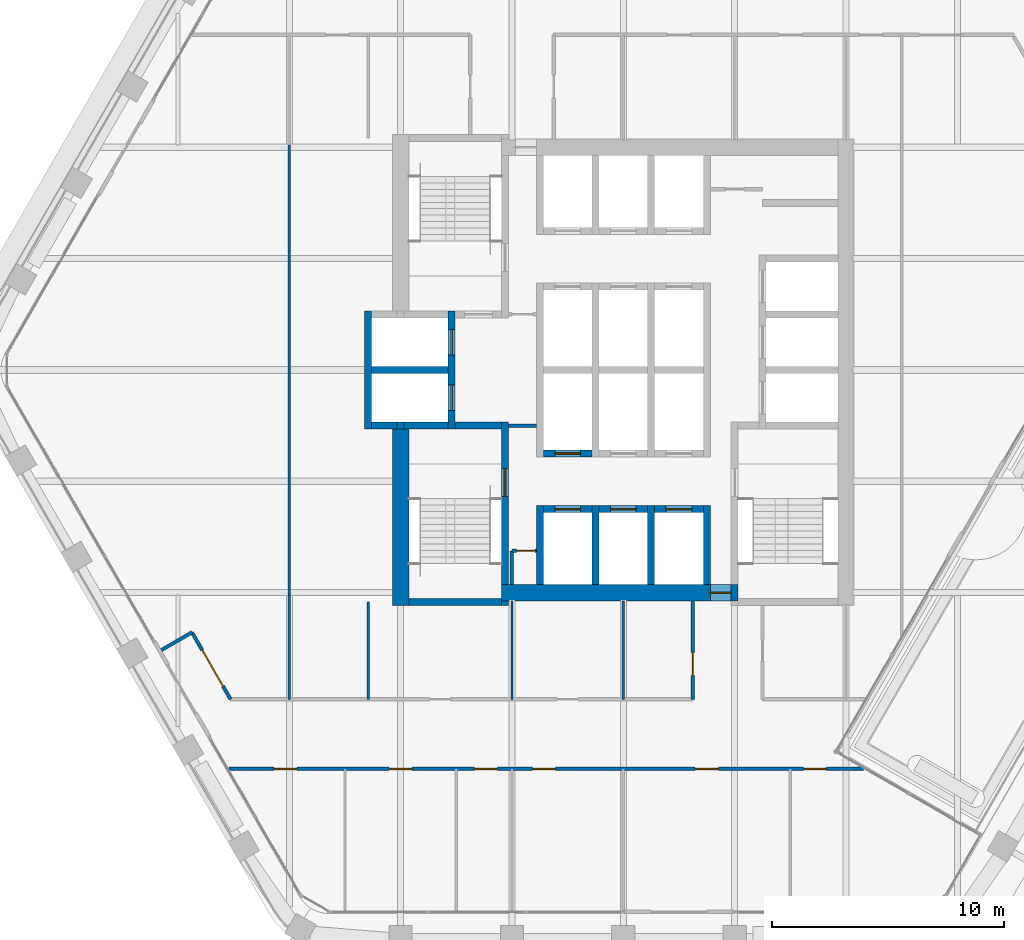
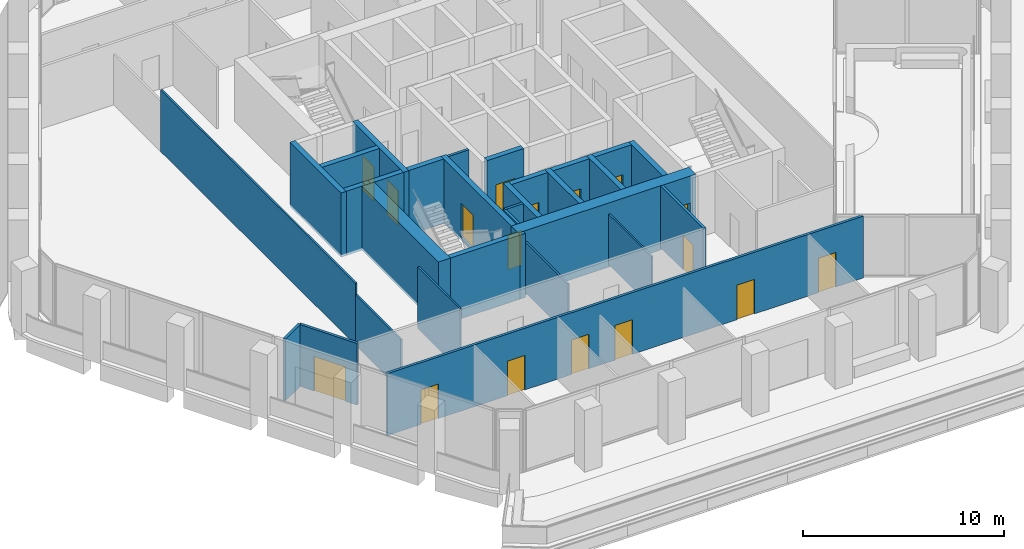
# One storey, part 11 of 17: 32 walls, 17 doors, 17 openings.
"""IFC4 building model written with IfcOpenShell, lengths in metres."""

from ifc_helpers import new_model, si_unit, direction, frame, frame_2d, origin, place, context, subcontext, project, spatial, rectangle, extrude, material, layer, layer_set, type_object, element, fill, save


model = new_model("IFC4")

# Units and contexts
model_context = context("Model", 3, precision=1e-05, world=origin(), true_north=direction((0.0, 1.0)))
body_context = subcontext(model_context, "Body", "Model", "MODEL_VIEW")
ifc_project = project(units=[si_unit("LENGTHUNIT", "METRE"), si_unit("AREAUNIT", "SQUARE_METRE"), si_unit("VOLUMEUNIT", "CUBIC_METRE"), si_unit("PLANEANGLEUNIT", "RADIAN"), si_unit("MASSUNIT", "GRAM", prefix="KILO")], contexts=[model_context])

# Site, building, storey
site_placement = place(None, origin())
site = spatial("IfcSite", under=ifc_project, at=site_placement, CompositionType="ELEMENT")
building_placement = place(site_placement, origin())
building = spatial("IfcBuilding", under=site, at=building_placement, Name="Kolab Exchange Tower", CompositionType="ELEMENT")
storey_placement = place(building_placement, frame((0.0, 0.0, 197.300048828125)))
storey = spatial("IfcBuildingStorey", under=building, at=storey_placement, Name="L42", CompositionType="ELEMENT", Elevation=197.300048828125)

# Wall, opening, door
ifc_material_1 = material(Name="Concrete C60/75", Category="concrete")
ifc_layer_1 = layer(ifc_material_1, 0.699951171875)
ifc_layer_set_1 = layer_set([ifc_layer_1], Name="Concrete C60/75")
wall_type_1 = type_object("IfcWallType", Name="CORE WALL 700 C60/75", PredefinedType="SHEAR", material=ifc_layer_set_1)
wall_1_placement = place(storey_placement, frame((-5.25, -9.60009765625, -0.150146484375), z_axis=(0.0, 0.0, 1.0), x_axis=(1.0, 0.0, 0.0)))
wall_1 = element("IfcWall", 1, at=wall_1_placement, inside=storey, type_object=wall_type_1, Name="wall/L42/core/002", PredefinedType="SHEAR", context=body_context, shape_type="SweptSolid", body=[
    extrude(rectangle(XDim=10.199951171875, YDim=0.699951171875, at=frame_2d((5.10009765625, 0.0))), origin(), (0.0, 0.0, 1.0), 3.900146484375),
])
opening_1_placement = place(wall_1_placement, frame((9.0, 0.0, 0.14990234375)))
opening_1 = element("IfcOpeningElement", 2, at=opening_1_placement, cuts=wall_1, Name="Opening D6-287", PredefinedType="OPENING", context=body_context, shape_type="SweptSolid", body=[
    extrude(rectangle(XDim=0.89990234375, YDim=2.10009765625, at=frame_2d((0.449951171875, 1.050048828125))), frame((0.0, 0.35986328125, 0.0), z_axis=(0.0, -1.0, 0.0), x_axis=(1.0, 0.0, 0.0)), (0.0, 0.0, 1.0), 0.719970703125),
])
ifc_material_2 = material(Name="Steel S235", Category="steel")
door_type_1 = type_object("IfcDoorType", Name="CORE DOOR 900 EI 120", OperationType="SINGLE_SWING_LEFT", PredefinedType="DOOR", material=ifc_material_2)
door_1_placement = place(opening_1_placement, origin())
door_1 = element("IfcDoor", 3, at=door_1_placement, inside=storey, type_object=door_type_1, Name="Core lobby door", OperationType="SINGLE_SWING_LEFT", OverallHeight=2.10009765625, OverallWidth=0.89990234375, PredefinedType="DOOR", context=body_context, shape_type="SweptSolid", body=[
    extrude(rectangle(XDim=0.89990234375, YDim=2.10009765625, at=frame_2d((0.449951171875, 1.050048828125))), frame((0.0, 0.02490234375, 0.0), z_axis=(0.0, -1.0, 0.0), x_axis=(1.0, 0.0, 0.0)), (0.0, 0.0, 1.0), 0.050048828125),
])
fill(opening_1, door_1)

# Wall
wall_2_placement = place(storey_placement, frame((-9.60009765625, -10.14990234375, -0.150146484375), z_axis=(0.0, 0.0, 1.0), x_axis=(0.0, 1.0, 0.0)))
element("IfcWall", 4, at=wall_2_placement, inside=storey, type_object=wall_type_1, Name="wall/L42/core/034", PredefinedType="SHEAR", context=body_context, shape_type="SweptSolid", body=[
    extrude(rectangle(XDim=7.599853515625, YDim=0.699951171875, at=frame_2d((3.7998046875, 0.0))), origin(), (0.0, 0.0, 1.0), 3.900146484375),
])

# Wall, opening, door
ifc_material_3 = material(Name="Concrete C50/60", Category="concrete")
ifc_layer_2 = layer(ifc_material_3, 0.300048828125)
ifc_layer_set_2 = layer_set([ifc_layer_2], Name="Concrete C50/60")
wall_type_2 = type_object("IfcWallType", Name="LIFT SHAFT WALL 300 C50/60", PredefinedType="STANDARD", material=ifc_layer_set_2)
wall_3_placement = place(storey_placement, frame((-3.449951171875, -6.0, -0.150146484375), z_axis=(0.0, 0.0, 1.0), x_axis=(1.0, 0.0, 0.0)))
wall_3 = element("IfcWall", 5, at=wall_3_placement, inside=storey, type_object=wall_type_2, Name="wall/L42/core/003", PredefinedType="STANDARD", context=body_context, shape_type="SweptSolid", body=[
    extrude(rectangle(XDim=2.099853515625, YDim=0.300048828125, at=frame_2d((1.0498046875, 0.0))), origin(), (0.0, 0.0, 1.0), 3.900146484375),
])
opening_2_placement = place(wall_3_placement, frame((0.5, 0.0, 0.14990234375)))
opening_2 = element("IfcOpeningElement", 6, at=opening_2_placement, cuts=wall_3, Name="Opening LD1-110", PredefinedType="OPENING", context=body_context, shape_type="SweptSolid", body=[
    extrude(rectangle(XDim=1.10009765625, YDim=2.10009765625, at=frame_2d((0.550048828125, 1.050048828125))), frame((0.0, 0.16015625, 0.0), z_axis=(0.0, -1.0, 0.0), x_axis=(1.0, 0.0, 0.0)), (0.0, 0.0, 1.0), 0.320068359375),
])
ifc_material_4 = material(Name="Stainless steel 316", Category="steel")
door_type_2 = type_object("IfcDoorType", Name="LANDING DOOR 1100 PASSENGER", OperationType="DOUBLE_DOOR_SLIDING", PredefinedType="DOOR", material=ifc_material_4)
door_2_placement = place(opening_2_placement, origin())
door_2 = element("IfcDoor", 7, at=door_2_placement, inside=storey, type_object=door_type_2, Name="Landing door HR10", OperationType="DOUBLE_DOOR_SLIDING", OverallHeight=2.10009765625, OverallWidth=1.10009765625, PredefinedType="DOOR", context=body_context, shape_type="SweptSolid", body=[
    extrude(rectangle(XDim=1.10009765625, YDim=2.10009765625, at=frame_2d((0.550048828125, 1.050048828125))), frame((0.0, 0.02490234375, 0.0), z_axis=(0.0, -1.0, 0.0), x_axis=(1.0, 0.0, 0.0)), (0.0, 0.0, 1.0), 0.050048828125),
])
fill(opening_2, door_2)

wall_4_placement = place(storey_placement, frame((-1.050048828125, -6.0, -0.150146484375), z_axis=(0.0, 0.0, 1.0), x_axis=(1.0, 0.0, 0.0)))
wall_4 = element("IfcWall", 8, at=wall_4_placement, inside=storey, type_object=wall_type_2, Name="wall/L42/core/004", PredefinedType="STANDARD", context=body_context, shape_type="SweptSolid", body=[
    extrude(rectangle(XDim=2.10009765625, YDim=0.300048828125, at=frame_2d((1.050048828125, 0.0))), origin(), (0.0, 0.0, 1.0), 3.900146484375),
])
opening_3_placement = place(wall_4_placement, frame((0.5, 0.0, 0.14990234375)))
opening_3 = element("IfcOpeningElement", 9, at=opening_3_placement, cuts=wall_4, Name="Opening LD1-111", PredefinedType="OPENING", context=body_context, shape_type="SweptSolid", body=[
    extrude(rectangle(XDim=1.10009765625, YDim=2.10009765625, at=frame_2d((0.550048828125, 1.050048828125))), frame((0.0, 0.16015625, 0.0), z_axis=(0.0, -1.0, 0.0), x_axis=(1.0, 0.0, 0.0)), (0.0, 0.0, 1.0), 0.320068359375),
])
door_3_placement = place(opening_3_placement, origin())
door_3 = element("IfcDoor", 10, at=door_3_placement, inside=storey, type_object=door_type_2, Name="Landing door HR11", OperationType="DOUBLE_DOOR_SLIDING", OverallHeight=2.10009765625, OverallWidth=1.10009765625, PredefinedType="DOOR", context=body_context, shape_type="SweptSolid", body=[
    extrude(rectangle(XDim=1.10009765625, YDim=2.10009765625, at=frame_2d((0.550048828125, 1.050048828125))), frame((0.0, 0.02490234375, 0.0), z_axis=(0.0, -1.0, 0.0), x_axis=(1.0, 0.0, 0.0)), (0.0, 0.0, 1.0), 0.050048828125),
])
fill(opening_3, door_3)

wall_5_placement = place(storey_placement, frame((1.35009765625, -6.0, -0.150146484375), z_axis=(0.0, 0.0, 1.0), x_axis=(1.0, 0.0, 0.0)))
wall_5 = element("IfcWall", 11, at=wall_5_placement, inside=storey, type_object=wall_type_2, Name="wall/L42/core/005", PredefinedType="STANDARD", context=body_context, shape_type="SweptSolid", body=[
    extrude(rectangle(XDim=2.099853515625, YDim=0.300048828125, at=frame_2d((1.0498046875, 0.0))), origin(), (0.0, 0.0, 1.0), 3.900146484375),
])
opening_4_placement = place(wall_5_placement, frame((0.5, 0.0, 0.14990234375)))
opening_4 = element("IfcOpeningElement", 12, at=opening_4_placement, cuts=wall_5, Name="Opening LD1-112", PredefinedType="OPENING", context=body_context, shape_type="SweptSolid", body=[
    extrude(rectangle(XDim=1.10009765625, YDim=2.10009765625, at=frame_2d((0.550048828125, 1.050048828125))), frame((0.0, 0.16015625, 0.0), z_axis=(0.0, -1.0, 0.0), x_axis=(1.0, 0.0, 0.0)), (0.0, 0.0, 1.0), 0.320068359375),
])
door_4_placement = place(opening_4_placement, origin())
door_4 = element("IfcDoor", 13, at=door_4_placement, inside=storey, type_object=door_type_2, Name="Landing door HR12", OperationType="DOUBLE_DOOR_SLIDING", OverallHeight=2.10009765625, OverallWidth=1.10009765625, PredefinedType="DOOR", context=body_context, shape_type="SweptSolid", body=[
    extrude(rectangle(XDim=1.10009765625, YDim=2.10009765625, at=frame_2d((0.550048828125, 1.050048828125))), frame((0.0, 0.02490234375, 0.0), z_axis=(0.0, -1.0, 0.0), x_axis=(1.0, 0.0, 0.0)), (0.0, 0.0, 1.0), 0.050048828125),
])
fill(opening_4, door_4)

wall_6_placement = place(storey_placement, frame((-3.449951171875, -3.60009765625, -0.150146484375), z_axis=(0.0, 0.0, 1.0), x_axis=(1.0, 0.0, 0.0)))
wall_6 = element("IfcWall", 14, at=wall_6_placement, inside=storey, type_object=wall_type_2, Name="wall/L42/core/006", PredefinedType="STANDARD", context=body_context, shape_type="SweptSolid", body=[
    extrude(rectangle(XDim=2.099853515625, YDim=0.300048828125, at=frame_2d((1.0498046875, 0.0))), origin(), (0.0, 0.0, 1.0), 3.900146484375),
])
opening_5_placement = place(wall_6_placement, frame((0.5, 0.0, 0.14990234375)))
opening_5 = element("IfcOpeningElement", 15, at=opening_5_placement, cuts=wall_6, Name="Opening LD1-118", PredefinedType="OPENING", context=body_context, shape_type="SweptSolid", body=[
    extrude(rectangle(XDim=1.10009765625, YDim=2.10009765625, at=frame_2d((0.550048828125, 1.050048828125))), frame((0.0, 0.16015625, 0.0), z_axis=(0.0, -1.0, 0.0), x_axis=(1.0, 0.0, 0.0)), (0.0, 0.0, 1.0), 0.320068359375),
])
door_5_placement = place(opening_5_placement, origin())
door_5 = element("IfcDoor", 16, at=door_5_placement, inside=storey, type_object=door_type_2, Name="Landing door HR7", OperationType="DOUBLE_DOOR_SLIDING", OverallHeight=2.10009765625, OverallWidth=1.10009765625, PredefinedType="DOOR", context=body_context, shape_type="SweptSolid", body=[
    extrude(rectangle(XDim=1.10009765625, YDim=2.10009765625, at=frame_2d((0.550048828125, 1.050048828125))), frame((0.0, 0.02490234375, 0.0), z_axis=(0.0, -1.0, 0.0), x_axis=(1.0, 0.0, 0.0)), (0.0, 0.0, 1.0), 0.050048828125),
])
fill(opening_5, door_5)

# Walls
wall_7_placement = place(storey_placement, frame((-10.85009765625, -2.39990234375, -0.150146484375), z_axis=(0.0, 0.0, 1.0), x_axis=(1.0, 0.0, 0.0)))
element("IfcWall", 17, at=wall_7_placement, inside=storey, type_object=wall_type_2, Name="wall/L42/core/009", PredefinedType="STANDARD", context=body_context, shape_type="SweptSolid", body=[
    extrude(rectangle(XDim=1.10009765625, YDim=0.300048828125, at=frame_2d((0.550048828125, 0.0))), origin(), (0.0, 0.0, 1.0), 3.900146484375),
])
wall_8_placement = place(storey_placement, frame((-10.85009765625, 0.0, -0.150146484375), z_axis=(0.0, 0.0, 1.0), x_axis=(1.0, 0.0, 0.0)))
element("IfcWall", 18, at=wall_8_placement, inside=storey, type_object=wall_type_2, Name="wall/L42/core/014", PredefinedType="STANDARD", context=body_context, shape_type="SweptSolid", body=[
    extrude(rectangle(XDim=3.300048828125, YDim=0.300048828125, at=frame_2d((1.64990234375, 0.0))), origin(), (0.0, 0.0, 1.0), 3.900146484375),
])
wall_9_placement = place(storey_placement, frame((-11.0, -2.550048828125, -0.150146484375), z_axis=(0.0, 0.0, 1.0), x_axis=(0.0, 1.0, 0.0)))
element("IfcWall", 19, at=wall_9_placement, inside=storey, type_object=wall_type_2, Name="wall/L42/core/033", PredefinedType="STANDARD", context=body_context, shape_type="SweptSolid", body=[
    extrude(rectangle(XDim=5.10009765625, YDim=0.300048828125, at=frame_2d((2.550048828125, 0.0))), origin(), (0.0, 0.0, 1.0), 3.900146484375),
])

# Wall, openings, doors
wall_10_placement = place(storey_placement, frame((-7.39990234375, -2.550048828125, -0.150146484375), z_axis=(0.0, 0.0, 1.0), x_axis=(0.0, 1.0, 0.0)))
wall_10 = element("IfcWall", 20, at=wall_10_placement, inside=storey, type_object=wall_type_2, Name="wall/L42/core/038", PredefinedType="STANDARD", context=body_context, shape_type="SweptSolid", body=[
    extrude(rectangle(XDim=5.10009765625, YDim=0.300048828125, at=frame_2d((2.550048828125, 0.0))), origin(), (0.0, 0.0, 1.0), 3.900146484375),
])
opening_6_placement = place(wall_10_placement, frame((0.800048828125, 0.0, 0.14990234375)))
opening_6 = element("IfcOpeningElement", 21, at=opening_6_placement, cuts=wall_10, Name="Opening LD2-025", PredefinedType="OPENING", context=body_context, shape_type="SweptSolid", body=[
    extrude(rectangle(XDim=1.10009765625, YDim=2.10009765625, at=frame_2d((0.550048828125, 1.050048828125))), frame((0.0, 0.16015625, 0.0), z_axis=(0.0, -1.0, 0.0), x_axis=(1.0, 0.0, 0.0)), (0.0, 0.0, 1.0), 0.320068359375),
])
opening_7_placement = place(wall_10_placement, frame((3.199951171875, 0.0, 0.14990234375)))
opening_7 = element("IfcOpeningElement", 22, at=opening_7_placement, cuts=wall_10, Name="Opening LD2-026", PredefinedType="OPENING", context=body_context, shape_type="SweptSolid", body=[
    extrude(rectangle(XDim=1.10009765625, YDim=2.10009765625, at=frame_2d((0.550048828125, 1.050048828125))), frame((0.0, 0.16015625, 0.0), z_axis=(0.0, -1.0, 0.0), x_axis=(1.0, 0.0, 0.0)), (0.0, 0.0, 1.0), 0.320068359375),
])
door_type_3 = type_object("IfcDoorType", Name="LANDING DOOR 1100 FIREFIGHTING", OperationType="DOUBLE_DOOR_SLIDING", PredefinedType="DOOR", material=ifc_material_4)
door_6_placement = place(opening_6_placement, origin())
door_6 = element("IfcDoor", 23, at=door_6_placement, inside=storey, type_object=door_type_3, Name="Landing door FF1", OperationType="DOUBLE_DOOR_SLIDING", OverallHeight=2.10009765625, OverallWidth=1.10009765625, PredefinedType="DOOR", context=body_context, shape_type="SweptSolid", body=[
    extrude(rectangle(XDim=1.10009765625, YDim=2.10009765625, at=frame_2d((0.550048828125, 1.050048828125))), frame((0.0, 0.02490234375, 0.0), z_axis=(0.0, -1.0, 0.0), x_axis=(1.0, 0.0, 0.0)), (0.0, 0.0, 1.0), 0.050048828125),
])
fill(opening_6, door_6)
door_7_placement = place(opening_7_placement, origin())
door_7 = element("IfcDoor", 24, at=door_7_placement, inside=storey, type_object=door_type_3, Name="Landing door FF2", OperationType="DOUBLE_DOOR_SLIDING", OverallHeight=2.10009765625, OverallWidth=1.10009765625, PredefinedType="DOOR", context=body_context, shape_type="SweptSolid", body=[
    extrude(rectangle(XDim=1.10009765625, YDim=2.10009765625, at=frame_2d((0.550048828125, 1.050048828125))), frame((0.0, 0.02490234375, 0.0), z_axis=(0.0, -1.0, 0.0), x_axis=(1.0, 0.0, 0.0)), (0.0, 0.0, 1.0), 0.050048828125),
])
fill(opening_7, door_7)

# Walls
for number, where, z_axis, x_axis, name in (
    (25, (-3.60009765625, -9.25, -0.150146484375), (0.0, 0.0, 1.0), (0.0, 1.0, 0.0), "wall/L42/core/043"),
    (26, (-1.199951171875, -9.25, -0.150146484375), (0.0, 0.0, 1.0), (0.0, 1.0, 0.0), "wall/L42/core/046"),
    (27, (1.199951171875, -9.25, -0.150146484375), (0.0, 0.0, 1.0), (0.0, 1.0, 0.0), "wall/L42/core/049"),
    (28, (3.60009765625, -9.25, -0.150146484375), (0.0, 0.0, 1.0), (0.0, 1.0, 0.0), "wall/L42/core/052"),
):
    element("IfcWall", number, at=place(storey_placement, frame(where, z_axis=z_axis, x_axis=x_axis)), inside=storey, type_object=wall_type_2, Name=name, PredefinedType="STANDARD", context=body_context, shape_type="SweptSolid", body=[
        extrude(rectangle(XDim=3.39990234375, YDim=0.300048828125, at=frame_2d((1.699951171875, 0.0))), origin(), (0.0, 0.0, 1.0), 3.900146484375),
    ])
ifc_material_5 = material(Name="Gypsum board", Category="gypsum")
ifc_layer_3 = layer(ifc_material_5, 0.10009765625)
ifc_layer_set_3 = layer_set([ifc_layer_3], Name="Gypsum board")
wall_type_3 = type_object("IfcWallType", Name="PARTITION 100", PredefinedType="PARTITIONING", material=ifc_layer_set_3)
for number, where, z_axis, x_axis, name in (
    (29, (0.0, -14.199951171875, 0.0), (0.0, 0.0, 1.0), (0.0, 1.0, 0.0), "Partition 011"),
    (30, (-4.800048828125, -14.199951171875, 0.0), (0.0, 0.0, 1.0), (0.0, 1.0, 0.0), "Partition 015"),
):
    element("IfcWall", number, at=place(storey_placement, frame(where, z_axis=z_axis, x_axis=x_axis)), inside=storey, type_object=wall_type_3, Name=name, PredefinedType="PARTITIONING", context=body_context, shape_type="SweptSolid", body=[
        extrude(rectangle(XDim=4.25, YDim=0.10009765625, at=frame_2d((2.125, 0.0))), origin(), (0.0, 0.0, 1.0), 3.06591796875),
    ])
wall_11_placement = place(storey_placement, frame((-11.0, -14.199951171875, 0.0), z_axis=(0.0, 0.0, 1.0), x_axis=(0.0, 1.0, 0.0)))
element("IfcWall", 31, at=wall_11_placement, inside=storey, type_object=wall_type_3, Name="Partition 022", PredefinedType="PARTITIONING", context=body_context, shape_type="SweptSolid", body=[
    extrude(rectangle(XDim=4.199951171875, YDim=0.10009765625, at=frame_2d((2.10009765625, 0.0))), origin(), (0.0, 0.0, 1.0), 3.75),
])
wall_12_placement = place(storey_placement, frame((-14.39990234375, -9.693603515625, 0.0), z_axis=(0.0, 0.0, 1.0), x_axis=(0.0, 1.0, 0.0)))
element("IfcWall", 32, at=wall_12_placement, inside=storey, type_object=wall_type_3, Name="Partition 025", PredefinedType="PARTITIONING", context=body_context, shape_type="SweptSolid", body=[
    extrude(rectangle(XDim=19.38720703125, YDim=0.10009765625, at=frame_2d((9.693603515625, 0.0))), origin(), (0.0, 0.0, 1.0), 3.75),
])
wall_13_placement = place(storey_placement, frame((-14.39990234375, -14.199951171875, 0.0), z_axis=(0.0, 0.0, 1.0), x_axis=(0.0, 1.0, 0.0)))
element("IfcWall", 33, at=wall_13_placement, inside=storey, type_object=wall_type_3, Name="Partition 025", PredefinedType="PARTITIONING", context=body_context, shape_type="SweptSolid", body=[
    extrude(rectangle(XDim=4.50634765625, YDim=0.10009765625, at=frame_2d((2.253173828125, 0.0))), origin(), (0.0, 0.0, 1.0), 3.06591796875),
])

# Wall, opening, door
ifc_layer_4 = layer(ifc_material_5, 0.14990234375)
ifc_layer_set_4 = layer_set([ifc_layer_4], Name="Gypsum board")
wall_type_4 = type_object("IfcWallType", Name="PARTITION 150 FIRE-RATED", PredefinedType="PARTITIONING", material=ifc_layer_set_4)
wall_14_placement = place(storey_placement, frame((3.0, -14.199951171875, 0.0), z_axis=(0.0, 0.0, 1.0), x_axis=(0.0, 1.0, 0.0)))
wall_14 = element("IfcWall", 34, at=wall_14_placement, inside=storey, type_object=wall_type_4, Name="Partition 009", PredefinedType="PARTITIONING", context=body_context, shape_type="SweptSolid", body=[
    extrude(rectangle(XDim=4.25, YDim=0.14990234375, at=frame_2d((2.125, 0.0))), origin(), (0.0, 0.0, 1.0), 3.75),
])
opening_8_placement = place(wall_14_placement, frame((1.02490234375, 0.0, 0.0)))
opening_8 = element("IfcOpeningElement", 35, at=opening_8_placement, cuts=wall_14, Name="Opening D1-553", PredefinedType="OPENING", context=body_context, shape_type="SweptSolid", body=[
    extrude(rectangle(XDim=1.0, YDim=2.10009765625, at=frame_2d((0.5, 1.050048828125))), frame((0.0, 0.0849609375, 0.0), z_axis=(0.0, -1.0, 0.0), x_axis=(1.0, 0.0, 0.0)), (0.0, 0.0, 1.0), 0.169921875),
])
door_type_4 = type_object("IfcDoorType", Name="FLUSH DOOR 1000 FD60", OperationType="SINGLE_SWING_LEFT", PredefinedType="DOOR", material=ifc_material_2)
door_8_placement = place(opening_8_placement, origin())
door_8 = element("IfcDoor", 36, at=door_8_placement, inside=storey, type_object=door_type_4, Name="Door L42-038", OperationType="SINGLE_SWING_LEFT", OverallHeight=2.10009765625, OverallWidth=1.0, PredefinedType="DOOR", context=body_context, shape_type="SweptSolid", body=[
    extrude(rectangle(XDim=1.0, YDim=2.10009765625, at=frame_2d((0.5, 1.050048828125))), frame((0.0, 0.02490234375, 0.0), z_axis=(0.0, -1.0, 0.0), x_axis=(1.0, 0.0, 0.0)), (0.0, 0.0, 1.0), 0.050048828125),
])
fill(opening_8, door_8)

# Wall
wall_15_placement = place(storey_placement, frame((-4.800048828125, -9.25, 0.0), z_axis=(0.0, 0.0, 1.0), x_axis=(0.0, 1.0, 0.0)))
element("IfcWall", 37, at=wall_15_placement, inside=storey, type_object=wall_type_4, Name="Partition 017", PredefinedType="PARTITIONING", context=body_context, shape_type="SweptSolid", body=[
    extrude(rectangle(XDim=1.449951171875, YDim=0.14990234375, at=frame_2d((0.72509765625, 0.0))), origin(), (0.0, 0.0, 1.0), 3.75),
])

# Wall, opening, door
wall_16_placement = place(storey_placement, frame((-18.595947265625, -11.313720703125, 0.0), z_axis=(0.0, 0.0, 1.0), x_axis=(0.499976106316, -0.86603919837, 0.0)))
wall_16 = element("IfcWall", 38, at=wall_16_placement, inside=storey, type_object=wall_type_4, Name="Partition 026", PredefinedType="PARTITIONING", context=body_context, shape_type="SweptSolid", body=[
    extrude(rectangle(XDim=3.332763671875, YDim=0.14990234375, at=frame_2d((1.66650390625, 0.0))), origin(), (0.0, 0.0, 1.0), 3.75),
])
opening_9_placement = place(wall_16_placement, frame((0.885009765625, 0.0, 0.0)))
opening_9 = element("IfcOpeningElement", 39, at=opening_9_placement, cuts=wall_16, Name="Opening D2-058", PredefinedType="OPENING", context=body_context, shape_type="SweptSolid", body=[
    extrude(rectangle(XDim=1.800048828125, YDim=2.10009765625, at=frame_2d((0.89990234375, 1.050048828125))), frame((0.0, 0.0849609375, 0.0), z_axis=(0.0, -1.0, 0.0), x_axis=(1.0, 0.0, 0.0)), (0.0, 0.0, 1.0), 0.169921875),
])
door_type_5 = type_object("IfcDoorType", Name="DOUBLE DOOR 1800 FD60", OperationType="DOUBLE_DOOR_SINGLE_SWING", PredefinedType="DOOR", material=ifc_material_2)
door_9_placement = place(opening_9_placement, origin())
door_9 = element("IfcDoor", 40, at=door_9_placement, inside=storey, type_object=door_type_5, Name="Door L42-054", OperationType="SINGLE_SWING_RIGHT", OverallHeight=2.10009765625, OverallWidth=1.800048828125, PredefinedType="DOOR", context=body_context, shape_type="SweptSolid", body=[
    extrude(rectangle(XDim=1.800048828125, YDim=2.10009765625, at=frame_2d((0.89990234375, 1.050048828125))), frame((0.0, 0.02490234375, 0.0), z_axis=(0.0, -1.0, 0.0), x_axis=(1.0, 0.0, 0.0)), (0.0, 0.0, 1.0), 0.050048828125),
])
fill(opening_9, door_9)

# Wall
wall_17_placement = place(storey_placement, frame((-19.912353515625, -12.07373046875, 0.0), z_axis=(0.0, 0.0, 1.0), x_axis=(0.866030456496, 0.499991248344, 0.0)))
element("IfcWall", 41, at=wall_17_placement, inside=storey, type_object=wall_type_4, Name="Partition 028", PredefinedType="PARTITIONING", context=body_context, shape_type="SweptSolid", body=[
    extrude(rectangle(XDim=1.52001953125, YDim=0.14990234375, at=frame_2d((0.760009765625, 0.0))), origin(), (0.0, 0.0, 1.0), 3.75),
])

# Wall, openings, doors
wall_18_placement = place(storey_placement, frame((-16.9990234375, -17.199951171875, 0.0), z_axis=(0.0, 0.0, 1.0), x_axis=(1.0, 0.0, 0.0)))
wall_18 = element("IfcWall", 42, at=wall_18_placement, inside=storey, type_object=wall_type_4, Name="Partition 030", PredefinedType="PARTITIONING", context=body_context, shape_type="SweptSolid", body=[
    extrude(rectangle(XDim=27.350341796875, YDim=0.14990234375, at=frame_2d((13.67529296875, 0.0))), origin(), (0.0, 0.0, 1.0), 3.75),
])
opening_10_placement = place(wall_18_placement, frame((1.93017578125, 0.0, 0.0)))
opening_10 = element("IfcOpeningElement", 43, at=opening_10_placement, cuts=wall_18, Name="Opening D1-561", PredefinedType="OPENING", context=body_context, shape_type="SweptSolid", body=[
    extrude(rectangle(XDim=1.0, YDim=2.10009765625, at=frame_2d((0.5, 1.050048828125))), frame((0.0, 0.0849609375, 0.0), z_axis=(0.0, -1.0, 0.0), x_axis=(1.0, 0.0, 0.0)), (0.0, 0.0, 1.0), 0.169921875),
])
opening_11_placement = place(wall_18_placement, frame((6.89892578125, 0.0, 0.0)))
opening_11 = element("IfcOpeningElement", 44, at=opening_11_placement, cuts=wall_18, Name="Opening D1-562", PredefinedType="OPENING", context=body_context, shape_type="SweptSolid", body=[
    extrude(rectangle(XDim=1.0, YDim=2.10009765625, at=frame_2d((0.5, 1.050048828125))), frame((0.0, 0.0849609375, 0.0), z_axis=(0.0, -1.0, 0.0), x_axis=(1.0, 0.0, 0.0)), (0.0, 0.0, 1.0), 0.169921875),
])
opening_12_placement = place(wall_18_placement, frame((10.573974609375, 0.0, 0.0)))
opening_12 = element("IfcOpeningElement", 45, at=opening_12_placement, cuts=wall_18, Name="Opening D1-563", PredefinedType="OPENING", context=body_context, shape_type="SweptSolid", body=[
    extrude(rectangle(XDim=1.0, YDim=2.10009765625, at=frame_2d((0.5, 1.050048828125))), frame((0.0, 0.0849609375, 0.0), z_axis=(0.0, -1.0, 0.0), x_axis=(1.0, 0.0, 0.0)), (0.0, 0.0, 1.0), 0.169921875),
])
opening_13_placement = place(wall_18_placement, frame((13.083984375, 0.0, 0.0)))
opening_13 = element("IfcOpeningElement", 46, at=opening_13_placement, cuts=wall_18, Name="Opening D1-564", PredefinedType="OPENING", context=body_context, shape_type="SweptSolid", body=[
    extrude(rectangle(XDim=1.0, YDim=2.10009765625, at=frame_2d((0.5, 1.050048828125))), frame((0.0, 0.0849609375, 0.0), z_axis=(0.0, -1.0, 0.0), x_axis=(1.0, 0.0, 0.0)), (0.0, 0.0, 1.0), 0.169921875),
])
opening_14_placement = place(wall_18_placement, frame((20.09912109375, 0.0, 0.0)))
opening_14 = element("IfcOpeningElement", 47, at=opening_14_placement, cuts=wall_18, Name="Opening D1-565", PredefinedType="OPENING", context=body_context, shape_type="SweptSolid", body=[
    extrude(rectangle(XDim=1.0, YDim=2.10009765625, at=frame_2d((0.5, 1.050048828125))), frame((0.0, 0.0849609375, 0.0), z_axis=(0.0, -1.0, 0.0), x_axis=(1.0, 0.0, 0.0)), (0.0, 0.0, 1.0), 0.169921875),
])
opening_15_placement = place(wall_18_placement, frame((24.767578125, 0.0, 0.0)))
opening_15 = element("IfcOpeningElement", 48, at=opening_15_placement, cuts=wall_18, Name="Opening D1-566", PredefinedType="OPENING", context=body_context, shape_type="SweptSolid", body=[
    extrude(rectangle(XDim=1.0, YDim=2.10009765625, at=frame_2d((0.5, 1.050048828125))), frame((0.0, 0.0849609375, 0.0), z_axis=(0.0, -1.0, 0.0), x_axis=(1.0, 0.0, 0.0)), (0.0, 0.0, 1.0), 0.169921875),
])
door_10_placement = place(opening_10_placement, frame((1.0, 0.0, 0.0), z_axis=(0.0, 0.0, 1.0), x_axis=(-1.0, 0.0, 0.0)))
door_10 = element("IfcDoor", 49, at=door_10_placement, inside=storey, type_object=door_type_4, Name="Door L42-046", OperationType="SINGLE_SWING_LEFT", OverallHeight=2.10009765625, OverallWidth=1.0, PredefinedType="DOOR", context=body_context, shape_type="SweptSolid", body=[
    extrude(rectangle(XDim=1.0, YDim=2.10009765625, at=frame_2d((0.5, 1.050048828125))), frame((0.0, 0.02490234375, 0.0), z_axis=(0.0, -1.0, 0.0), x_axis=(1.0, 0.0, 0.0)), (0.0, 0.0, 1.0), 0.050048828125),
])
fill(opening_10, door_10)
door_11_placement = place(opening_11_placement, frame((1.0, 0.0, 0.0), z_axis=(0.0, 0.0, 1.0), x_axis=(-1.0, 0.0, 0.0)))
door_11 = element("IfcDoor", 50, at=door_11_placement, inside=storey, type_object=door_type_4, Name="Door L42-047", OperationType="SINGLE_SWING_RIGHT", OverallHeight=2.10009765625, OverallWidth=1.0, PredefinedType="DOOR", context=body_context, shape_type="SweptSolid", body=[
    extrude(rectangle(XDim=1.0, YDim=2.10009765625, at=frame_2d((0.5, 1.050048828125))), frame((0.0, 0.02490234375, 0.0), z_axis=(0.0, -1.0, 0.0), x_axis=(1.0, 0.0, 0.0)), (0.0, 0.0, 1.0), 0.050048828125),
])
fill(opening_11, door_11)
door_12_placement = place(opening_12_placement, frame((1.0, 0.0, 0.0), z_axis=(0.0, 0.0, 1.0), x_axis=(-1.0, 0.0, 0.0)))
door_12 = element("IfcDoor", 51, at=door_12_placement, inside=storey, type_object=door_type_4, Name="Door L42-048", OperationType="SINGLE_SWING_RIGHT", OverallHeight=2.10009765625, OverallWidth=1.0, PredefinedType="DOOR", context=body_context, shape_type="SweptSolid", body=[
    extrude(rectangle(XDim=1.0, YDim=2.10009765625, at=frame_2d((0.5, 1.050048828125))), frame((0.0, 0.02490234375, 0.0), z_axis=(0.0, -1.0, 0.0), x_axis=(1.0, 0.0, 0.0)), (0.0, 0.0, 1.0), 0.050048828125),
])
fill(opening_12, door_12)
door_13_placement = place(opening_13_placement, frame((1.0, 0.0, 0.0), z_axis=(0.0, 0.0, 1.0), x_axis=(-1.0, 0.0, 0.0)))
door_13 = element("IfcDoor", 52, at=door_13_placement, inside=storey, type_object=door_type_4, Name="Door L42-049", OperationType="SINGLE_SWING_LEFT", OverallHeight=2.10009765625, OverallWidth=1.0, PredefinedType="DOOR", context=body_context, shape_type="SweptSolid", body=[
    extrude(rectangle(XDim=1.0, YDim=2.10009765625, at=frame_2d((0.5, 1.050048828125))), frame((0.0, 0.02490234375, 0.0), z_axis=(0.0, -1.0, 0.0), x_axis=(1.0, 0.0, 0.0)), (0.0, 0.0, 1.0), 0.050048828125),
])
fill(opening_13, door_13)
door_14_placement = place(opening_14_placement, frame((1.0, 0.0, 0.0), z_axis=(0.0, 0.0, 1.0), x_axis=(-1.0, 0.0, 0.0)))
door_14 = element("IfcDoor", 53, at=door_14_placement, inside=storey, type_object=door_type_4, Name="Door L42-050", OperationType="SINGLE_SWING_RIGHT", OverallHeight=2.10009765625, OverallWidth=1.0, PredefinedType="DOOR", context=body_context, shape_type="SweptSolid", body=[
    extrude(rectangle(XDim=1.0, YDim=2.10009765625, at=frame_2d((0.5, 1.050048828125))), frame((0.0, 0.02490234375, 0.0), z_axis=(0.0, -1.0, 0.0), x_axis=(1.0, 0.0, 0.0)), (0.0, 0.0, 1.0), 0.050048828125),
])
fill(opening_14, door_14)
door_15_placement = place(opening_15_placement, frame((1.0, 0.0, 0.0), z_axis=(0.0, 0.0, 1.0), x_axis=(-1.0, 0.0, 0.0)))
door_15 = element("IfcDoor", 54, at=door_15_placement, inside=storey, type_object=door_type_4, Name="Door L42-051", OperationType="SINGLE_SWING_LEFT", OverallHeight=2.10009765625, OverallWidth=1.0, PredefinedType="DOOR", context=body_context, shape_type="SweptSolid", body=[
    extrude(rectangle(XDim=1.0, YDim=2.10009765625, at=frame_2d((0.5, 1.050048828125))), frame((0.0, 0.02490234375, 0.0), z_axis=(0.0, -1.0, 0.0), x_axis=(1.0, 0.0, 0.0)), (0.0, 0.0, 1.0), 0.050048828125),
])
fill(opening_15, door_15)

# Wall, opening, door
wall_19_placement = place(storey_placement, frame((-4.800048828125, -7.800048828125, 0.0), z_axis=(0.0, 0.0, 1.0), x_axis=(1.0, 0.0, 0.0)))
wall_19 = element("IfcWall", 55, at=wall_19_placement, inside=storey, type_object=wall_type_4, Name="Partition 033", PredefinedType="PARTITIONING", context=body_context, shape_type="SweptSolid", body=[
    extrude(rectangle(XDim=1.050048828125, YDim=0.14990234375, at=frame_2d((0.52490234375, 0.0))), origin(), (0.0, 0.0, 1.0), 3.75),
])
opening_16_placement = place(wall_19_placement, frame((0.199951171875, 0.0, 0.0)))
opening_16 = element("IfcOpeningElement", 56, at=opening_16_placement, cuts=wall_19, Name="Opening D7-031", PredefinedType="OPENING", context=body_context, shape_type="SweptSolid", body=[
    extrude(rectangle(XDim=0.800048828125, YDim=2.10009765625, at=frame_2d((0.39990234375, 1.050048828125))), frame((0.0, 0.0849609375, 0.0), z_axis=(0.0, -1.0, 0.0), x_axis=(1.0, 0.0, 0.0)), (0.0, 0.0, 1.0), 0.169921875),
])
door_type_6 = type_object("IfcDoorType", Name="FLUSH DOOR 800 FD60", OperationType="SINGLE_SWING_LEFT", PredefinedType="DOOR", material=ifc_material_2)
door_16_placement = place(opening_16_placement, frame((0.800048828125, 0.0, 0.0), z_axis=(0.0, 0.0, 1.0), x_axis=(-1.0, 0.0, 0.0)))
door_16 = element("IfcDoor", 57, at=door_16_placement, inside=storey, type_object=door_type_6, Name="Door L42-024", OperationType="SINGLE_SWING_RIGHT", OverallHeight=2.10009765625, OverallWidth=0.800048828125, PredefinedType="DOOR", context=body_context, shape_type="SweptSolid", body=[
    extrude(rectangle(XDim=0.800048828125, YDim=2.10009765625, at=frame_2d((0.39990234375, 1.050048828125))), frame((0.0, 0.02490234375, 0.0), z_axis=(0.0, -1.0, 0.0), x_axis=(1.0, 0.0, 0.0)), (0.0, 0.0, 1.0), 0.050048828125),
])
fill(opening_16, door_16)

# Walls
wall_20_placement = place(storey_placement, frame((-4.949951171875, -2.39990234375, 0.0), z_axis=(0.0, 0.0, 1.0), x_axis=(1.0, 0.0, 0.0)))
element("IfcWall", 58, at=wall_20_placement, inside=storey, type_object=wall_type_4, Name="Fire partition", PredefinedType="PARTITIONING", context=body_context, shape_type="SweptSolid", body=[
    extrude(rectangle(XDim=1.199951171875, YDim=0.14990234375, at=frame_2d((0.60009765625, 0.0))), origin(), (0.0, 0.0, 1.0), 3.75),
])
ifc_layer_5 = layer(ifc_material_3, 0.300048828125)
ifc_layer_set_5 = layer_set([ifc_layer_5], Name="Concrete C50/60")
wall_type_5 = type_object("IfcWallType", Name="STAIR ENCLOSURE WALL 300 C50/60", PredefinedType="STANDARD", material=ifc_layer_set_5)
wall_21_placement = place(storey_placement, frame((-9.25, -10.0, -0.150146484375), z_axis=(0.0, 0.0, 1.0), x_axis=(1.0, 0.0, 0.0)))
element("IfcWall", 59, at=wall_21_placement, inside=storey, type_object=wall_type_5, Name="wall/L42/core/000", PredefinedType="STANDARD", context=body_context, shape_type="SweptSolid", body=[
    extrude(rectangle(XDim=4.0, YDim=0.300048828125, at=frame_2d((2.0, 0.0))), origin(), (0.0, 0.0, 1.0), 3.900146484375),
])
wall_22_placement = place(storey_placement, frame((-9.449951171875, -2.39990234375, -0.150146484375), z_axis=(0.0, 0.0, 1.0), x_axis=(1.0, 0.0, 0.0)))
element("IfcWall", 60, at=wall_22_placement, inside=storey, type_object=wall_type_5, Name="wall/L42/core/010", PredefinedType="STANDARD", context=body_context, shape_type="SweptSolid", body=[
    extrude(rectangle(XDim=1.89990234375, YDim=0.300048828125, at=frame_2d((0.949951171875, 0.0))), origin(), (0.0, 0.0, 1.0), 3.900146484375),
])
wall_23_placement = place(storey_placement, frame((-7.25, -2.39990234375, -0.150146484375), z_axis=(0.0, 0.0, 1.0), x_axis=(1.0, 0.0, 0.0)))
element("IfcWall", 61, at=wall_23_placement, inside=storey, type_object=wall_type_5, Name="wall/L42/core/011", PredefinedType="STANDARD", context=body_context, shape_type="SweptSolid", body=[
    extrude(rectangle(XDim=2.0, YDim=0.300048828125, at=frame_2d((1.0, 0.0))), origin(), (0.0, 0.0, 1.0), 3.900146484375),
])
wall_24_placement = place(storey_placement, frame((-9.60009765625, -2.550048828125, -0.150146484375), z_axis=(0.0, 0.0, 1.0), x_axis=(0.0, 1.0, 0.0)))
element("IfcWall", 62, at=wall_24_placement, inside=storey, type_object=wall_type_5, Name="wall/L42/core/035", PredefinedType="STANDARD", context=body_context, shape_type="SweptSolid", body=[
    extrude(rectangle(XDim=0.300048828125, YDim=0.300048828125, at=frame_2d((0.14990234375, 0.0))), origin(), (0.0, 0.0, 1.0), 3.900146484375),
])
wall_25_placement = place(storey_placement, frame((-5.10009765625, -10.14990234375, -0.150146484375), z_axis=(0.0, 0.0, 1.0), x_axis=(0.0, 1.0, 0.0)))
element("IfcWall", 63, at=wall_25_placement, inside=storey, type_object=wall_type_5, Name="wall/L42/core/039", PredefinedType="STANDARD", context=body_context, shape_type="SweptSolid", body=[
    extrude(rectangle(XDim=0.199951171875, YDim=0.300048828125, at=frame_2d((0.10009765625, 0.0))), origin(), (0.0, 0.0, 1.0), 3.900146484375),
])

# Wall, opening, door
wall_26_placement = place(storey_placement, frame((-5.10009765625, -9.25, -0.150146484375), z_axis=(0.0, 0.0, 1.0), x_axis=(0.0, 1.0, 0.0)))
wall_26 = element("IfcWall", 64, at=wall_26_placement, inside=storey, type_object=wall_type_5, Name="wall/L42/core/040", PredefinedType="STANDARD", context=body_context, shape_type="SweptSolid", body=[
    extrude(rectangle(XDim=7.0, YDim=0.300048828125, at=frame_2d((3.5, 0.0))), origin(), (0.0, 0.0, 1.0), 3.900146484375),
])
opening_17_placement = place(wall_26_placement, frame((3.800048828125, 0.0, 0.14990234375)))
opening_17 = element("IfcOpeningElement", 65, at=opening_17_placement, cuts=wall_26, Name="Opening D4-068", PredefinedType="OPENING", context=body_context, shape_type="SweptSolid", body=[
    extrude(rectangle(XDim=1.199951171875, YDim=2.10009765625, at=frame_2d((0.60009765625, 1.050048828125))), frame((0.0, 0.16015625, 0.0), z_axis=(0.0, -1.0, 0.0), x_axis=(1.0, 0.0, 0.0)), (0.0, 0.0, 1.0), 0.320068359375),
])
door_type_7 = type_object("IfcDoorType", Name="STAIR DOOR 1200 EI 120", OperationType="SINGLE_SWING_LEFT", PredefinedType="DOOR", material=ifc_material_2)
door_17_placement = place(opening_17_placement, origin())
door_17 = element("IfcDoor", 66, at=door_17_placement, inside=storey, type_object=door_type_7, Name="Stair 3 door", OperationType="SINGLE_SWING_RIGHT", OverallHeight=2.10009765625, OverallWidth=1.199951171875, PredefinedType="DOOR", context=body_context, shape_type="SweptSolid", body=[
    extrude(rectangle(XDim=1.199951171875, YDim=2.10009765625, at=frame_2d((0.60009765625, 1.050048828125))), frame((0.0, 0.02490234375, 0.0), z_axis=(0.0, -1.0, 0.0), x_axis=(1.0, 0.0, 0.0)), (0.0, 0.0, 1.0), 0.050048828125),
])
fill(opening_17, door_17)

save(model, "model.ifc")
